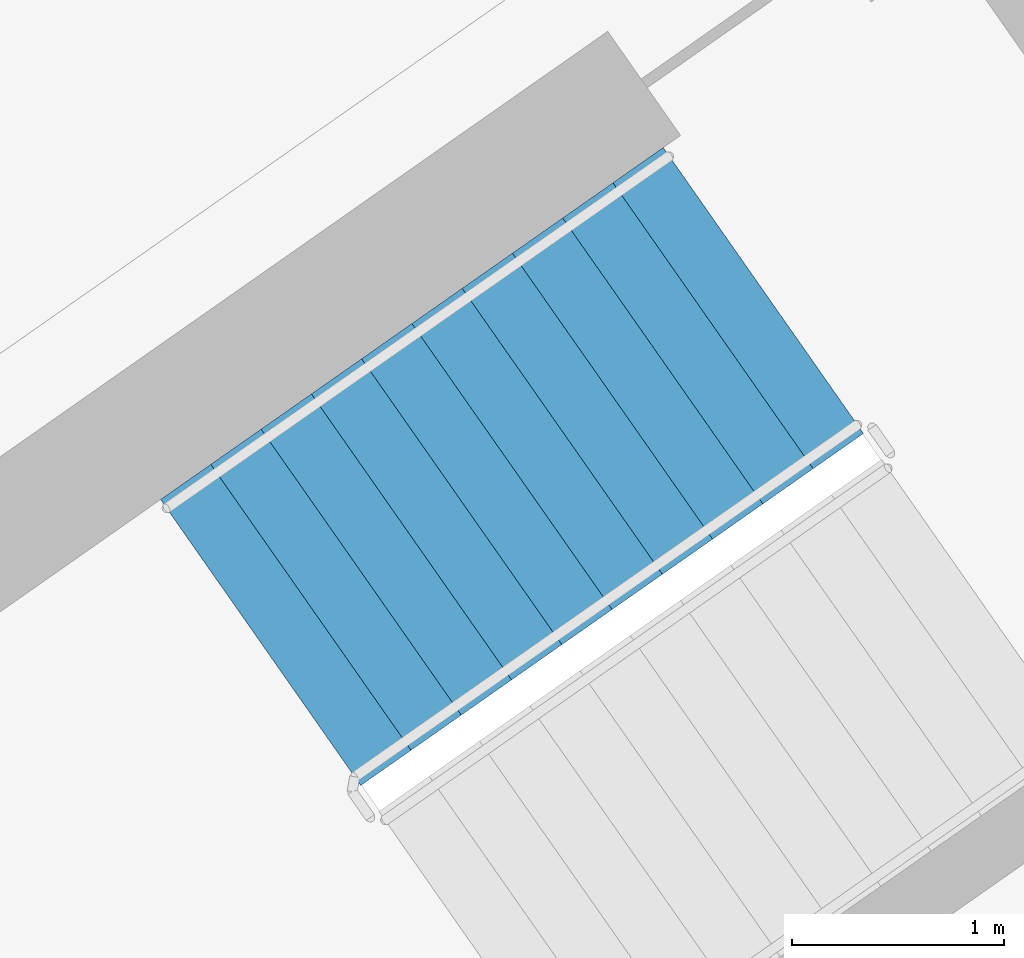
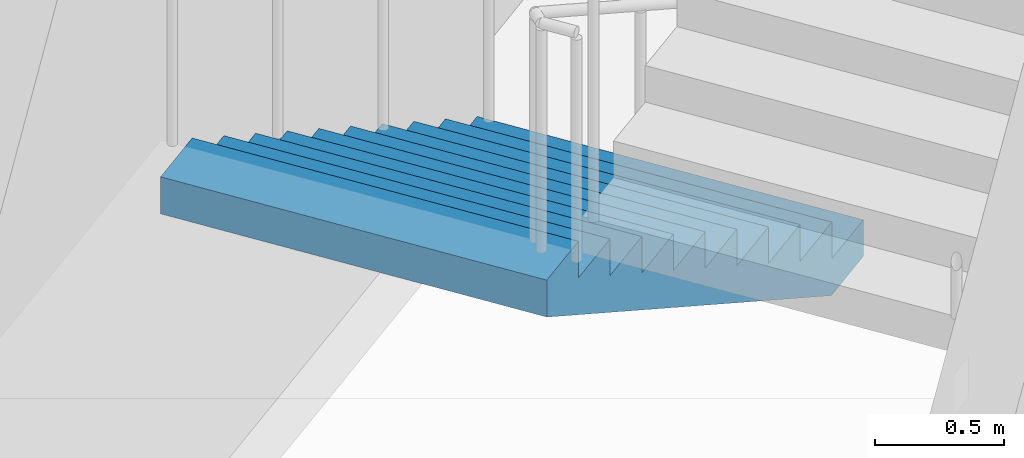
# One storey, part 17 of 27: 1 stair flight, 1 element without a shape of its own.
"""IFC4 building model written with IfcOpenShell, lengths in metres."""

from ifc_helpers import new_model, si_unit, direction, frame, origin, place, context, subcontext, project, spatial, faceted_brep, material, type_object, element, aggregate, save


model = new_model("IFC4")

# Units and contexts
model_context = context("Model", 3, precision=1e-05, world=origin(), true_north=direction((0.0, 1.0)))
body_context = subcontext(model_context, "Body", "Model", "MODEL_VIEW")
ifc_project = project(units=[si_unit("LENGTHUNIT", "METRE"), si_unit("AREAUNIT", "SQUARE_METRE"), si_unit("VOLUMEUNIT", "CUBIC_METRE"), si_unit("PLANEANGLEUNIT", "RADIAN"), si_unit("MASSUNIT", "GRAM", prefix="KILO")], contexts=[model_context])

# Site, building, storey
site_placement = place(None, origin())
site = spatial("IfcSite", under=ifc_project, at=site_placement, CompositionType="ELEMENT")
building_placement = place(site_placement, origin())
building = spatial("IfcBuilding", under=site, at=building_placement, Name="Qamariyya Broadcast Tower", CompositionType="ELEMENT")
storey_placement = place(building_placement, frame((0.0, 0.0, 175.89990234375)))
storey = spatial("IfcBuildingStorey", under=building, at=storey_placement, Name="L41", CompositionType="ELEMENT", Elevation=175.89990234375)

# Stair, stair flight
ifc_material = material(Name="Concrete C50/60", Category="concrete")
stair_type = type_object("IfcStairType", Name="Exit stair 22 risers of 173 mm", PredefinedType="HALF_TURN_STAIR", material=ifc_material)
stair_placement = place(storey_placement, origin())
stair = element("IfcStair", 1, at=stair_placement, inside=storey, type_object=stair_type, Name="L41 Stair E2", PredefinedType="HALF_TURN_STAIR")
stair_flight_type = type_object("IfcStairFlightType", Name="Exit stair flight 11 risers of 173 mm", PredefinedType="STRAIGHT", material=ifc_material)
stair_flight_placement = place(storey_placement, frame((40.558837890625, -47.685302734375, 0.0), z_axis=(0.0, 0.0, 1.0), x_axis=(-0.819152044289, -0.573576436351, 0.0)))
stair_flight = element("IfcStairFlight", 2, at=stair_flight_placement, type_object=stair_flight_type, Name="ST-E2 flight 1", NumberOfRisers=11, NumberOfTreads=10, PredefinedType="STRAIGHT", RiserHeight=0.172727273, TreadLength=0.29, context=body_context, shape_type="Brep", body=[
    faceted_brep([(0.0, 0.824951171875, 0.0), (0.0, 0.824951171875, 0.172607421875), (0.2900390625, 0.824951171875, 0.172607421875), (0.2900390625, 0.824951171875, 0.345458984375), (0.580078125, 0.824951171875, 0.345458984375), (0.580078125, 0.824951171875, 0.51806640625), (0.8701171875, 0.824951171875, 0.51806640625), (0.8701171875, 0.824951171875, 0.69091796875), (1.159912109375, 0.824951171875, 0.69091796875), (1.159912109375, 0.824951171875, 0.863525390625), (1.449951171875, 0.824951171875, 0.863525390625), (1.449951171875, 0.824951171875, 1.036376953125), (1.739990234375, 0.824951171875, 1.036376953125), (1.739990234375, 0.824951171875, 1.208984375), (2.030029296875, 0.824951171875, 1.208984375), (2.030029296875, 0.824951171875, 1.3818359375), (2.320068359375, 0.824951171875, 1.3818359375), (2.320068359375, 0.824951171875, 1.554443359375), (2.610107421875, 0.824951171875, 1.554443359375), (2.610107421875, 0.824951171875, 1.727294921875), (2.89990234375, 0.824951171875, 1.727294921875), (2.89990234375, 0.824951171875, 1.552734375), (0.29296875, 0.824951171875, 0.0), (0.29296875, -0.824951171875, 0.0), (2.89990234375, -0.824951171875, 1.552734375), (2.89990234375, -0.824951171875, 1.727294921875), (2.610107421875, -0.824951171875, 1.727294921875), (2.610107421875, -0.824951171875, 1.554443359375), (2.320068359375, -0.824951171875, 1.554443359375), (2.320068359375, -0.824951171875, 1.3818359375), (2.030029296875, -0.824951171875, 1.3818359375), (2.030029296875, -0.824951171875, 1.208984375), (1.739990234375, -0.824951171875, 1.208984375), (1.739990234375, -0.824951171875, 1.036376953125), (1.449951171875, -0.824951171875, 1.036376953125), (1.449951171875, -0.824951171875, 0.863525390625), (1.159912109375, -0.824951171875, 0.863525390625), (1.159912109375, -0.824951171875, 0.69091796875), (0.8701171875, -0.824951171875, 0.69091796875), (0.8701171875, -0.824951171875, 0.51806640625), (0.580078125, -0.824951171875, 0.51806640625), (0.580078125, -0.824951171875, 0.345458984375), (0.2900390625, -0.824951171875, 0.345458984375), (0.2900390625, -0.824951171875, 0.172607421875), (0.0, -0.824951171875, 0.172607421875), (0.0, -0.824951171875, 0.0), (0.0, 0.10009765625, 0.0), (0.0, 0.086669921875, 0.0), (0.0, 0.0732421875, 0.0), (0.0, 0.06005859375, 0.0), (0.0, 0.046630859375, 0.0), (0.0, 0.033447265625, 0.0), (0.0, 0.02001953125, 0.0), (0.0, 0.006591796875, 0.0), (0.0, -0.006591796875, 0.0), (0.0, -0.02001953125, 0.0), (0.0, -0.033447265625, 0.0), (0.0, -0.046630859375, 0.0), (0.0, -0.06005859375, 0.0), (0.0, -0.0732421875, 0.0), (0.0, -0.086669921875, 0.0), (0.0, -0.10009765625, 0.0), (0.0, -0.10009765625, 0.172607421875), (0.0, -0.086669921875, 0.172607421875), (0.0, -0.0732421875, 0.172607421875), (0.0, -0.06005859375, 0.172607421875), (0.0, -0.046630859375, 0.172607421875), (0.0, -0.033447265625, 0.172607421875), (0.0, -0.02001953125, 0.172607421875), (0.0, -0.006591796875, 0.172607421875), (0.0, 0.006591796875, 0.172607421875), (0.0, 0.02001953125, 0.172607421875), (0.0, 0.033447265625, 0.172607421875), (0.0, 0.046630859375, 0.172607421875), (0.0, 0.06005859375, 0.172607421875), (0.0, 0.0732421875, 0.172607421875), (0.0, 0.086669921875, 0.172607421875), (0.0, 0.10009765625, 0.172607421875), (0.2900390625, -0.10009765625, 0.172607421875), (0.2900390625, -0.086669921875, 0.172607421875), (0.2900390625, -0.0732421875, 0.172607421875), (0.2900390625, -0.06005859375, 0.172607421875), (0.2900390625, -0.046630859375, 0.172607421875), (0.2900390625, -0.033447265625, 0.172607421875), (0.2900390625, -0.02001953125, 0.172607421875), (0.2900390625, -0.006591796875, 0.172607421875), (0.2900390625, 0.006591796875, 0.172607421875), (0.2900390625, 0.02001953125, 0.172607421875), (0.2900390625, 0.033447265625, 0.172607421875), (0.2900390625, 0.046630859375, 0.172607421875), (0.2900390625, 0.06005859375, 0.172607421875), (0.2900390625, 0.0732421875, 0.172607421875), (0.2900390625, 0.086669921875, 0.172607421875), (0.2900390625, 0.10009765625, 0.172607421875), (0.2900390625, -0.10009765625, 0.345458984375), (0.2900390625, -0.086669921875, 0.345458984375), (0.2900390625, -0.0732421875, 0.345458984375), (0.2900390625, -0.06005859375, 0.345458984375), (0.2900390625, -0.046630859375, 0.345458984375), (0.2900390625, -0.033447265625, 0.345458984375), (0.2900390625, -0.02001953125, 0.345458984375), (0.2900390625, -0.006591796875, 0.345458984375), (0.2900390625, 0.006591796875, 0.345458984375), (0.2900390625, 0.02001953125, 0.345458984375), (0.2900390625, 0.033447265625, 0.345458984375), (0.2900390625, 0.046630859375, 0.345458984375), (0.2900390625, 0.06005859375, 0.345458984375), (0.2900390625, 0.0732421875, 0.345458984375), (0.2900390625, 0.086669921875, 0.345458984375), (0.2900390625, 0.10009765625, 0.345458984375), (0.580078125, -0.10009765625, 0.345458984375), (0.580078125, -0.086669921875, 0.345458984375), (0.580078125, -0.0732421875, 0.345458984375), (0.580078125, -0.06005859375, 0.345458984375), (0.580078125, -0.046630859375, 0.345458984375), (0.580078125, -0.033447265625, 0.345458984375), (0.580078125, -0.02001953125, 0.345458984375), (0.580078125, -0.006591796875, 0.345458984375), (0.580078125, 0.006591796875, 0.345458984375), (0.580078125, 0.02001953125, 0.345458984375), (0.580078125, 0.033447265625, 0.345458984375), (0.580078125, 0.046630859375, 0.345458984375), (0.580078125, 0.06005859375, 0.345458984375), (0.580078125, 0.0732421875, 0.345458984375), (0.580078125, 0.086669921875, 0.345458984375), (0.580078125, 0.10009765625, 0.345458984375), (0.580078125, -0.10009765625, 0.51806640625), (0.580078125, -0.086669921875, 0.51806640625), (0.580078125, -0.0732421875, 0.51806640625), (0.580078125, -0.06005859375, 0.51806640625), (0.580078125, -0.046630859375, 0.51806640625), (0.580078125, -0.033447265625, 0.51806640625), (0.580078125, -0.02001953125, 0.51806640625), (0.580078125, -0.006591796875, 0.51806640625), (0.580078125, 0.006591796875, 0.51806640625), (0.580078125, 0.02001953125, 0.51806640625), (0.580078125, 0.033447265625, 0.51806640625), (0.580078125, 0.046630859375, 0.51806640625), (0.580078125, 0.06005859375, 0.51806640625), (0.580078125, 0.0732421875, 0.51806640625), (0.580078125, 0.086669921875, 0.51806640625), (0.580078125, 0.10009765625, 0.51806640625), (0.8701171875, -0.10009765625, 0.51806640625), (0.8701171875, -0.086669921875, 0.51806640625), (0.8701171875, -0.0732421875, 0.51806640625), (0.8701171875, -0.06005859375, 0.51806640625), (0.8701171875, -0.046630859375, 0.51806640625), (0.8701171875, -0.033447265625, 0.51806640625), (0.8701171875, -0.02001953125, 0.51806640625), (0.8701171875, -0.006591796875, 0.51806640625), (0.8701171875, 0.006591796875, 0.51806640625), (0.8701171875, 0.02001953125, 0.51806640625), (0.8701171875, 0.033447265625, 0.51806640625), (0.8701171875, 0.046630859375, 0.51806640625), (0.8701171875, 0.06005859375, 0.51806640625), (0.8701171875, 0.0732421875, 0.51806640625), (0.8701171875, 0.086669921875, 0.51806640625), (0.8701171875, 0.10009765625, 0.51806640625), (0.8701171875, -0.10009765625, 0.69091796875), (0.8701171875, -0.086669921875, 0.69091796875), (0.8701171875, -0.0732421875, 0.69091796875), (0.8701171875, -0.06005859375, 0.69091796875), (0.8701171875, -0.046630859375, 0.69091796875), (0.8701171875, -0.033447265625, 0.69091796875), (0.8701171875, -0.02001953125, 0.69091796875), (0.8701171875, -0.006591796875, 0.69091796875), (0.8701171875, 0.006591796875, 0.69091796875), (0.8701171875, 0.02001953125, 0.69091796875), (0.8701171875, 0.033447265625, 0.69091796875), (0.8701171875, 0.046630859375, 0.69091796875), (0.8701171875, 0.06005859375, 0.69091796875), (0.8701171875, 0.0732421875, 0.69091796875), (0.8701171875, 0.086669921875, 0.69091796875), (0.8701171875, 0.10009765625, 0.69091796875), (1.159912109375, -0.10009765625, 0.69091796875), (1.159912109375, -0.086669921875, 0.69091796875), (1.159912109375, -0.0732421875, 0.69091796875), (1.159912109375, -0.06005859375, 0.69091796875), (1.159912109375, -0.046630859375, 0.69091796875), (1.159912109375, -0.033447265625, 0.69091796875), (1.159912109375, -0.02001953125, 0.69091796875), (1.159912109375, -0.006591796875, 0.69091796875), (1.159912109375, 0.006591796875, 0.69091796875), (1.159912109375, 0.02001953125, 0.69091796875), (1.159912109375, 0.033447265625, 0.69091796875), (1.159912109375, 0.046630859375, 0.69091796875), (1.159912109375, 0.06005859375, 0.69091796875), (1.159912109375, 0.0732421875, 0.69091796875), (1.159912109375, 0.086669921875, 0.69091796875), (1.159912109375, 0.10009765625, 0.69091796875), (1.159912109375, -0.10009765625, 0.863525390625), (1.159912109375, -0.086669921875, 0.863525390625), (1.159912109375, -0.0732421875, 0.863525390625), (1.159912109375, -0.06005859375, 0.863525390625), (1.159912109375, -0.046630859375, 0.863525390625), (1.159912109375, -0.033447265625, 0.863525390625), (1.159912109375, -0.02001953125, 0.863525390625), (1.159912109375, -0.006591796875, 0.863525390625), (1.159912109375, 0.006591796875, 0.863525390625), (1.159912109375, 0.02001953125, 0.863525390625), (1.159912109375, 0.033447265625, 0.863525390625), (1.159912109375, 0.046630859375, 0.863525390625), (1.159912109375, 0.06005859375, 0.863525390625), (1.159912109375, 0.0732421875, 0.863525390625), (1.159912109375, 0.086669921875, 0.863525390625), (1.159912109375, 0.10009765625, 0.863525390625), (1.449951171875, -0.10009765625, 0.863525390625), (1.449951171875, -0.086669921875, 0.863525390625), (1.449951171875, -0.0732421875, 0.863525390625), (1.449951171875, -0.06005859375, 0.863525390625), (1.449951171875, -0.046630859375, 0.863525390625), (1.449951171875, -0.033447265625, 0.863525390625), (1.449951171875, -0.02001953125, 0.863525390625), (1.449951171875, -0.006591796875, 0.863525390625), (1.449951171875, 0.006591796875, 0.863525390625), (1.449951171875, 0.02001953125, 0.863525390625), (1.449951171875, 0.033447265625, 0.863525390625), (1.449951171875, 0.046630859375, 0.863525390625), (1.449951171875, 0.06005859375, 0.863525390625), (1.449951171875, 0.0732421875, 0.863525390625), (1.449951171875, 0.086669921875, 0.863525390625), (1.449951171875, 0.10009765625, 0.863525390625), (1.449951171875, -0.10009765625, 1.036376953125), (1.449951171875, -0.086669921875, 1.036376953125), (1.449951171875, -0.0732421875, 1.036376953125), (1.449951171875, -0.06005859375, 1.036376953125), (1.449951171875, -0.046630859375, 1.036376953125), (1.449951171875, -0.033447265625, 1.036376953125), (1.449951171875, -0.02001953125, 1.036376953125), (1.449951171875, -0.006591796875, 1.036376953125), (1.449951171875, 0.006591796875, 1.036376953125), (1.449951171875, 0.02001953125, 1.036376953125), (1.449951171875, 0.033447265625, 1.036376953125), (1.449951171875, 0.046630859375, 1.036376953125), (1.449951171875, 0.06005859375, 1.036376953125), (1.449951171875, 0.0732421875, 1.036376953125), (1.449951171875, 0.086669921875, 1.036376953125), (1.449951171875, 0.10009765625, 1.036376953125), (1.739990234375, -0.10009765625, 1.036376953125), (1.739990234375, -0.086669921875, 1.036376953125), (1.739990234375, -0.0732421875, 1.036376953125), (1.739990234375, -0.06005859375, 1.036376953125), (1.739990234375, -0.046630859375, 1.036376953125), (1.739990234375, -0.033447265625, 1.036376953125), (1.739990234375, -0.02001953125, 1.036376953125), (1.739990234375, -0.006591796875, 1.036376953125), (1.739990234375, 0.006591796875, 1.036376953125), (1.739990234375, 0.02001953125, 1.036376953125), (1.739990234375, 0.033447265625, 1.036376953125), (1.739990234375, 0.046630859375, 1.036376953125), (1.739990234375, 0.06005859375, 1.036376953125), (1.739990234375, 0.0732421875, 1.036376953125), (1.739990234375, 0.086669921875, 1.036376953125), (1.739990234375, 0.10009765625, 1.036376953125), (1.739990234375, -0.10009765625, 1.208984375), (1.739990234375, -0.086669921875, 1.208984375), (1.739990234375, -0.0732421875, 1.208984375), (1.739990234375, -0.06005859375, 1.208984375), (1.739990234375, -0.046630859375, 1.208984375), (1.739990234375, -0.033447265625, 1.208984375), (1.739990234375, -0.02001953125, 1.208984375), (1.739990234375, -0.006591796875, 1.208984375), (1.739990234375, 0.006591796875, 1.208984375), (1.739990234375, 0.02001953125, 1.208984375), (1.739990234375, 0.033447265625, 1.208984375), (1.739990234375, 0.046630859375, 1.208984375), (1.739990234375, 0.06005859375, 1.208984375), (1.739990234375, 0.0732421875, 1.208984375), (1.739990234375, 0.086669921875, 1.208984375), (1.739990234375, 0.10009765625, 1.208984375), (2.030029296875, -0.10009765625, 1.208984375), (2.030029296875, -0.086669921875, 1.208984375), (2.030029296875, -0.0732421875, 1.208984375), (2.030029296875, -0.06005859375, 1.208984375), (2.030029296875, -0.046630859375, 1.208984375), (2.030029296875, -0.033447265625, 1.208984375), (2.030029296875, -0.02001953125, 1.208984375), (2.030029296875, -0.006591796875, 1.208984375), (2.030029296875, 0.006591796875, 1.208984375), (2.030029296875, 0.02001953125, 1.208984375), (2.030029296875, 0.033447265625, 1.208984375), (2.030029296875, 0.046630859375, 1.208984375), (2.030029296875, 0.06005859375, 1.208984375), (2.030029296875, 0.0732421875, 1.208984375), (2.030029296875, 0.086669921875, 1.208984375), (2.030029296875, 0.10009765625, 1.208984375), (2.030029296875, -0.10009765625, 1.3818359375), (2.030029296875, -0.086669921875, 1.3818359375), (2.030029296875, -0.0732421875, 1.3818359375), (2.030029296875, -0.06005859375, 1.3818359375), (2.030029296875, -0.046630859375, 1.3818359375), (2.030029296875, -0.033447265625, 1.3818359375), (2.030029296875, -0.02001953125, 1.3818359375), (2.030029296875, -0.006591796875, 1.3818359375), (2.030029296875, 0.006591796875, 1.3818359375), (2.030029296875, 0.02001953125, 1.3818359375), (2.030029296875, 0.033447265625, 1.3818359375), (2.030029296875, 0.046630859375, 1.3818359375), (2.030029296875, 0.06005859375, 1.3818359375), (2.030029296875, 0.0732421875, 1.3818359375), (2.030029296875, 0.086669921875, 1.3818359375), (2.030029296875, 0.10009765625, 1.3818359375), (2.320068359375, -0.10009765625, 1.3818359375), (2.320068359375, -0.086669921875, 1.3818359375), (2.320068359375, -0.0732421875, 1.3818359375), (2.320068359375, -0.06005859375, 1.3818359375), (2.320068359375, -0.046630859375, 1.3818359375), (2.320068359375, -0.033447265625, 1.3818359375), (2.320068359375, -0.02001953125, 1.3818359375), (2.320068359375, -0.006591796875, 1.3818359375), (2.320068359375, 0.006591796875, 1.3818359375), (2.320068359375, 0.02001953125, 1.3818359375), (2.320068359375, 0.033447265625, 1.3818359375), (2.320068359375, 0.046630859375, 1.3818359375), (2.320068359375, 0.06005859375, 1.3818359375), (2.320068359375, 0.0732421875, 1.3818359375), (2.320068359375, 0.086669921875, 1.3818359375), (2.320068359375, 0.10009765625, 1.3818359375), (2.320068359375, -0.10009765625, 1.554443359375), (2.320068359375, -0.086669921875, 1.554443359375), (2.320068359375, -0.0732421875, 1.554443359375), (2.320068359375, -0.06005859375, 1.554443359375), (2.320068359375, -0.046630859375, 1.554443359375), (2.320068359375, -0.033447265625, 1.554443359375), (2.320068359375, -0.02001953125, 1.554443359375), (2.320068359375, -0.006591796875, 1.554443359375), (2.320068359375, 0.006591796875, 1.554443359375), (2.320068359375, 0.02001953125, 1.554443359375), (2.320068359375, 0.033447265625, 1.554443359375), (2.320068359375, 0.046630859375, 1.554443359375), (2.320068359375, 0.06005859375, 1.554443359375), (2.320068359375, 0.0732421875, 1.554443359375), (2.320068359375, 0.086669921875, 1.554443359375), (2.320068359375, 0.10009765625, 1.554443359375), (2.610107421875, -0.10009765625, 1.554443359375), (2.610107421875, -0.086669921875, 1.554443359375), (2.610107421875, -0.0732421875, 1.554443359375), (2.610107421875, -0.06005859375, 1.554443359375), (2.610107421875, -0.046630859375, 1.554443359375), (2.610107421875, -0.033447265625, 1.554443359375), (2.610107421875, -0.02001953125, 1.554443359375), (2.610107421875, -0.006591796875, 1.554443359375), (2.610107421875, 0.006591796875, 1.554443359375), (2.610107421875, 0.02001953125, 1.554443359375), (2.610107421875, 0.033447265625, 1.554443359375), (2.610107421875, 0.046630859375, 1.554443359375), (2.610107421875, 0.06005859375, 1.554443359375), (2.610107421875, 0.0732421875, 1.554443359375), (2.610107421875, 0.086669921875, 1.554443359375), (2.610107421875, 0.10009765625, 1.554443359375), (2.610107421875, -0.10009765625, 1.727294921875), (2.610107421875, -0.086669921875, 1.727294921875), (2.610107421875, -0.0732421875, 1.727294921875), (2.610107421875, -0.06005859375, 1.727294921875), (2.610107421875, -0.046630859375, 1.727294921875), (2.610107421875, -0.033447265625, 1.727294921875), (2.610107421875, -0.02001953125, 1.727294921875), (2.610107421875, -0.006591796875, 1.727294921875), (2.610107421875, 0.006591796875, 1.727294921875), (2.610107421875, 0.02001953125, 1.727294921875), (2.610107421875, 0.033447265625, 1.727294921875), (2.610107421875, 0.046630859375, 1.727294921875), (2.610107421875, 0.06005859375, 1.727294921875), (2.610107421875, 0.0732421875, 1.727294921875), (2.610107421875, 0.086669921875, 1.727294921875), (2.610107421875, 0.10009765625, 1.727294921875), (2.89990234375, -0.10009765625, 1.727294921875), (2.89990234375, -0.086669921875, 1.727294921875), (2.89990234375, -0.0732421875, 1.727294921875), (2.89990234375, -0.06005859375, 1.727294921875), (2.89990234375, -0.046630859375, 1.727294921875), (2.89990234375, -0.033447265625, 1.727294921875), (2.89990234375, -0.02001953125, 1.727294921875), (2.89990234375, -0.006591796875, 1.727294921875), (2.89990234375, 0.006591796875, 1.727294921875), (2.89990234375, 0.02001953125, 1.727294921875), (2.89990234375, 0.033447265625, 1.727294921875), (2.89990234375, 0.046630859375, 1.727294921875), (2.89990234375, 0.06005859375, 1.727294921875), (2.89990234375, 0.0732421875, 1.727294921875), (2.89990234375, 0.086669921875, 1.727294921875), (2.89990234375, 0.10009765625, 1.727294921875), (2.89990234375, -0.10009765625, 1.552734375), (2.89990234375, -0.086669921875, 1.552734375), (2.89990234375, -0.0732421875, 1.552734375), (2.89990234375, -0.06005859375, 1.552734375), (2.89990234375, -0.046630859375, 1.552734375), (2.89990234375, -0.033447265625, 1.552734375), (2.89990234375, -0.02001953125, 1.552734375), (2.89990234375, -0.006591796875, 1.552734375), (2.89990234375, 0.006591796875, 1.552734375), (2.89990234375, 0.02001953125, 1.552734375), (2.89990234375, 0.033447265625, 1.552734375), (2.89990234375, 0.046630859375, 1.552734375), (2.89990234375, 0.06005859375, 1.552734375), (2.89990234375, 0.0732421875, 1.552734375), (2.89990234375, 0.086669921875, 1.552734375), (2.89990234375, 0.10009765625, 1.552734375), (0.29296875, -0.10009765625, 0.0), (0.29296875, -0.086669921875, 0.0), (0.29296875, -0.0732421875, 0.0), (0.29296875, -0.06005859375, 0.0), (0.29296875, -0.046630859375, 0.0), (0.29296875, -0.033447265625, 0.0), (0.29296875, -0.02001953125, 0.0), (0.29296875, -0.006591796875, 0.0), (0.29296875, 0.006591796875, 0.0), (0.29296875, 0.02001953125, 0.0), (0.29296875, 0.033447265625, 0.0), (0.29296875, 0.046630859375, 0.0), (0.29296875, 0.06005859375, 0.0), (0.29296875, 0.0732421875, 0.0), (0.29296875, 0.086669921875, 0.0), (0.29296875, 0.10009765625, 0.0)], [[[0, 1, 2, 3, 4, 5, 6, 7, 8, 9, 10, 11, 12, 13, 14, 15, 16, 17, 18, 19, 20, 21, 22]], [[23, 24, 25, 26, 27, 28, 29, 30, 31, 32, 33, 34, 35, 36, 37, 38, 39, 40, 41, 42, 43, 44, 45]], [[0, 46, 47, 48, 49, 50, 51, 52, 53, 54, 55, 56, 57, 58, 59, 60, 61, 45, 44, 62, 63, 64, 65, 66, 67, 68, 69, 70, 71, 72, 73, 74, 75, 76, 77, 1]], [[1, 77, 76, 75, 74, 73, 72, 71, 70, 69, 68, 67, 66, 65, 64, 63, 62, 44, 43, 78, 79, 80, 81, 82, 83, 84, 85, 86, 87, 88, 89, 90, 91, 92, 93, 2]], [[2, 93, 92, 91, 90, 89, 88, 87, 86, 85, 84, 83, 82, 81, 80, 79, 78, 43, 42, 94, 95, 96, 97, 98, 99, 100, 101, 102, 103, 104, 105, 106, 107, 108, 109, 3]], [[3, 109, 108, 107, 106, 105, 104, 103, 102, 101, 100, 99, 98, 97, 96, 95, 94, 42, 41, 110, 111, 112, 113, 114, 115, 116, 117, 118, 119, 120, 121, 122, 123, 124, 125, 4]], [[4, 125, 124, 123, 122, 121, 120, 119, 118, 117, 116, 115, 114, 113, 112, 111, 110, 41, 40, 126, 127, 128, 129, 130, 131, 132, 133, 134, 135, 136, 137, 138, 139, 140, 141, 5]], [[5, 141, 140, 139, 138, 137, 136, 135, 134, 133, 132, 131, 130, 129, 128, 127, 126, 40, 39, 142, 143, 144, 145, 146, 147, 148, 149, 150, 151, 152, 153, 154, 155, 156, 157, 6]], [[6, 157, 156, 155, 154, 153, 152, 151, 150, 149, 148, 147, 146, 145, 144, 143, 142, 39, 38, 158, 159, 160, 161, 162, 163, 164, 165, 166, 167, 168, 169, 170, 171, 172, 173, 7]], [[7, 173, 172, 171, 170, 169, 168, 167, 166, 165, 164, 163, 162, 161, 160, 159, 158, 38, 37, 174, 175, 176, 177, 178, 179, 180, 181, 182, 183, 184, 185, 186, 187, 188, 189, 8]], [[8, 189, 188, 187, 186, 185, 184, 183, 182, 181, 180, 179, 178, 177, 176, 175, 174, 37, 36, 190, 191, 192, 193, 194, 195, 196, 197, 198, 199, 200, 201, 202, 203, 204, 205, 9]], [[9, 205, 204, 203, 202, 201, 200, 199, 198, 197, 196, 195, 194, 193, 192, 191, 190, 36, 35, 206, 207, 208, 209, 210, 211, 212, 213, 214, 215, 216, 217, 218, 219, 220, 221, 10]], [[10, 221, 220, 219, 218, 217, 216, 215, 214, 213, 212, 211, 210, 209, 208, 207, 206, 35, 34, 222, 223, 224, 225, 226, 227, 228, 229, 230, 231, 232, 233, 234, 235, 236, 237, 11]], [[11, 237, 236, 235, 234, 233, 232, 231, 230, 229, 228, 227, 226, 225, 224, 223, 222, 34, 33, 238, 239, 240, 241, 242, 243, 244, 245, 246, 247, 248, 249, 250, 251, 252, 253, 12]], [[12, 253, 252, 251, 250, 249, 248, 247, 246, 245, 244, 243, 242, 241, 240, 239, 238, 33, 32, 254, 255, 256, 257, 258, 259, 260, 261, 262, 263, 264, 265, 266, 267, 268, 269, 13]], [[13, 269, 268, 267, 266, 265, 264, 263, 262, 261, 260, 259, 258, 257, 256, 255, 254, 32, 31, 270, 271, 272, 273, 274, 275, 276, 277, 278, 279, 280, 281, 282, 283, 284, 285, 14]], [[14, 285, 284, 283, 282, 281, 280, 279, 278, 277, 276, 275, 274, 273, 272, 271, 270, 31, 30, 286, 287, 288, 289, 290, 291, 292, 293, 294, 295, 296, 297, 298, 299, 300, 301, 15]], [[15, 301, 300, 299, 298, 297, 296, 295, 294, 293, 292, 291, 290, 289, 288, 287, 286, 30, 29, 302, 303, 304, 305, 306, 307, 308, 309, 310, 311, 312, 313, 314, 315, 316, 317, 16]], [[16, 317, 316, 315, 314, 313, 312, 311, 310, 309, 308, 307, 306, 305, 304, 303, 302, 29, 28, 318, 319, 320, 321, 322, 323, 324, 325, 326, 327, 328, 329, 330, 331, 332, 333, 17]], [[17, 333, 332, 331, 330, 329, 328, 327, 326, 325, 324, 323, 322, 321, 320, 319, 318, 28, 27, 334, 335, 336, 337, 338, 339, 340, 341, 342, 343, 344, 345, 346, 347, 348, 349, 18]], [[18, 349, 348, 347, 346, 345, 344, 343, 342, 341, 340, 339, 338, 337, 336, 335, 334, 27, 26, 350, 351, 352, 353, 354, 355, 356, 357, 358, 359, 360, 361, 362, 363, 364, 365, 19]], [[19, 365, 364, 363, 362, 361, 360, 359, 358, 357, 356, 355, 354, 353, 352, 351, 350, 26, 25, 366, 367, 368, 369, 370, 371, 372, 373, 374, 375, 376, 377, 378, 379, 380, 381, 20]], [[20, 381, 380, 379, 378, 377, 376, 375, 374, 373, 372, 371, 370, 369, 368, 367, 366, 25, 24, 382, 383, 384, 385, 386, 387, 388, 389, 390, 391, 392, 393, 394, 395, 396, 397, 21]], [[21, 397, 396, 395, 394, 393, 392, 391, 390, 389, 388, 387, 386, 385, 384, 383, 382, 24, 23, 398, 399, 400, 401, 402, 403, 404, 405, 406, 407, 408, 409, 410, 411, 412, 413, 22]], [[22, 413, 412, 411, 410, 409, 408, 407, 406, 405, 404, 403, 402, 401, 400, 399, 398, 23, 45, 61, 60, 59, 58, 57, 56, 55, 54, 53, 52, 51, 50, 49, 48, 47, 46, 0]]]),
])
aggregate(stair, [stair_flight])

save(model, "model.ifc")
